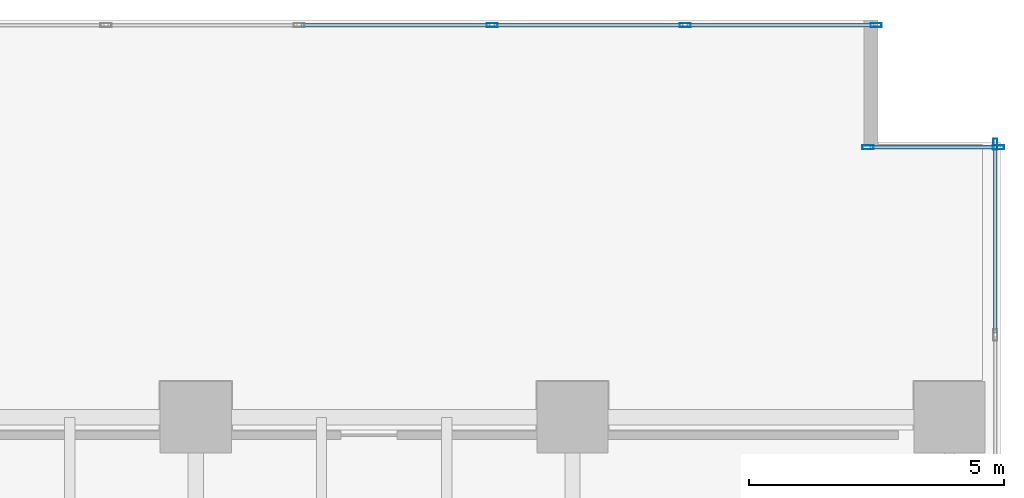
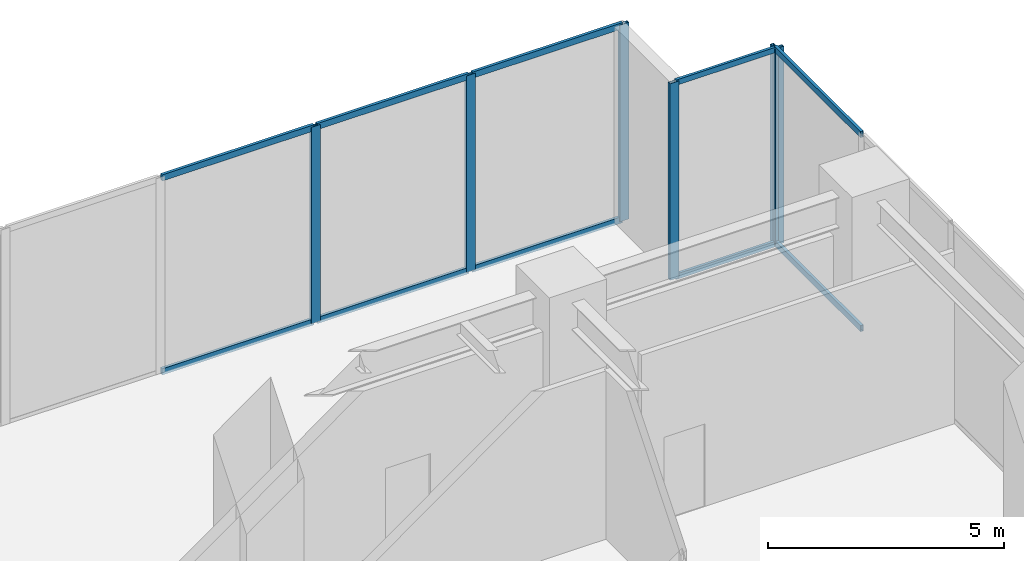
# One storey, part 23 of 35: 16 members, 3 elements without a shape of their own.
"""IFC4 building model written with IfcOpenShell, lengths in metres."""

import ifcopenshell
import ifcopenshell.guid

model = None  # the IFC model being written
_history = None  # IfcOwnerHistory: only IFC2X3 demands one
_inside = {}  # id of a spatial element -> (the spatial element, [elements in it])
_under = {}  # id of a project, library or spatial element -> (it, [spatial elements below it])
_declared = {}  # id of a project -> (the project, [libraries it declares])
_typed = {}  # id of a type object -> (the type object, [elements of that type])
_made_of = {}  # id of a material, layer set ... -> (it, [elements and type objects made of it])


def new_model(schema):
    """Start an empty IFC model of exactly this schema.

    Asked for "IFC4X3", IfcOpenShell would pick the latest addendum, in which some entities
    have other attributes; the version numbers below select the first issue.
    IFC2X3 requires an IfcOwnerHistory on every rooted entity: one is made here for all.
    """
    global model, _history
    if schema == "IFC4X3":
        model = ifcopenshell.file(schema_version=(4, 3, 0, 0))
    else:
        model = ifcopenshell.file(schema=schema)
    _inside.clear()
    _under.clear()
    _declared.clear()
    _typed.clear()
    _made_of.clear()
    _history = None
    if model.schema == "IFC2X3":
        org = make("IfcOrganization", Name="unknown")
        user = make(
            "IfcPersonAndOrganization",
            ThePerson=make("IfcPerson", FamilyName="unknown"),
            TheOrganization=org,
        )
        app = make(
            "IfcApplication",
            ApplicationDeveloper=org,
            Version="unknown",
            ApplicationFullName="unknown",
            ApplicationIdentifier="unknown",
        )
        _history = make(
            "IfcOwnerHistory",
            OwningUser=user,
            OwningApplication=app,
            ChangeAction="ADDED",
            CreationDate=0,
        )
    return model


def make(cls, **values):
    """One entity of the class cls with the attributes given. An attribute that is None is left unset."""
    return model.create_entity(
        cls, **{name: value for name, value in values.items() if value is not None}
    )


def rooted(cls, **values):
    """An entity with a GlobalId (a new one), such as an element, a storey or a relation."""
    return make(cls, GlobalId=ifcopenshell.guid.new(), OwnerHistory=_history, **values)


def si_unit(unit_type, name, prefix=None):
    """IfcSIUnit, for example si_unit("LENGTHUNIT", "METRE", prefix="MILLI")."""
    return make("IfcSIUnit", UnitType=unit_type, Prefix=prefix, Name=name)


def assignment(units):
    """IfcUnitAssignment: the units of a project."""
    return None if units is None else make("IfcUnitAssignment", Units=units)


def point(xyz):
    """IfcCartesianPoint."""
    return None if xyz is None else make("IfcCartesianPoint", Coordinates=xyz)


def direction(xyz):
    """IfcDirection."""
    return None if xyz is None else make("IfcDirection", DirectionRatios=xyz)


def frame(location, z_axis=None, x_axis=None):
    """IfcAxis2Placement3D, a coordinate frame: its origin and axes. An axis left out is left unset."""
    return make(
        "IfcAxis2Placement3D",
        Location=point(location),
        Axis=direction(z_axis),
        RefDirection=direction(x_axis),
    )


def frame_2d(location, x_axis=None):
    """IfcAxis2Placement2D, a coordinate frame in the plane: its origin and x axis."""
    return make(
        "IfcAxis2Placement2D", Location=point(location), RefDirection=direction(x_axis)
    )


def origin():
    """The frame at (0, 0, 0) with its axes left unset."""
    return frame((0.0, 0.0, 0.0))


def origin_2d():
    """The frame at (0, 0) in the plane with its x axis left unset."""
    return frame_2d((0.0, 0.0))


def place(relative_to, where):
    """IfcLocalPlacement: puts the frame where relative to a parent placement (None: the world)."""
    return make(
        "IfcLocalPlacement", PlacementRelTo=relative_to, RelativePlacement=where
    )


def context(
    kind, dimensions, precision=None, world=None, true_north=None, identifier=None
):
    """IfcGeometricRepresentationContext, for example the 3D "Model" context."""
    return make(
        "IfcGeometricRepresentationContext",
        ContextIdentifier=identifier,
        ContextType=kind,
        CoordinateSpaceDimension=dimensions,
        Precision=precision,
        WorldCoordinateSystem=world,
        TrueNorth=true_north,
    )


def subcontext(parent, identifier, kind, view, scale=None):
    """IfcGeometricRepresentationSubContext, for example "Body" below "Model"."""
    return make(
        "IfcGeometricRepresentationSubContext",
        ContextIdentifier=identifier,
        ContextType=kind,
        ParentContext=parent,
        TargetScale=scale,
        TargetView=view,
    )


def project(units=None, contexts=None):
    """IfcProject with its units and contexts."""
    return rooted(
        "IfcProject",
        Name="project",
        RepresentationContexts=contexts,
        UnitsInContext=assignment(units),
    )


def spatial(cls, under=None, at=None, **own):
    """A site, building, storey or space (cls), placed at a placement, below another one or the project."""
    s = rooted(cls, ObjectPlacement=at, **own)
    if under is not None:
        _under.setdefault(under.id(), (under, []))[1].append(s)
    return s


def profile(cls, at=None, kind="AREA", **sizes):
    """A parametric profile (cls). Its sizes go by their IFC names, for example OverallWidth=200.0."""
    return make(cls, ProfileType=kind, Position=at, **sizes)


def hollow_rectangle(**sizes):
    """IfcRectangleHollowProfileDef."""
    return profile("IfcRectangleHollowProfileDef", **sizes)


def extrude(swept, where, along, depth):
    """IfcExtrudedAreaSolid: the profile swept, set in the frame where, extruded along a direction by depth."""
    return make(
        "IfcExtrudedAreaSolid",
        SweptArea=swept,
        Position=where,
        ExtrudedDirection=direction(along),
        Depth=depth,
    )


def shape(context_of_items, identifier, shape_type, items):
    """IfcShapeRepresentation: the items that make up one representation, for example the "Body"."""
    return make(
        "IfcShapeRepresentation",
        ContextOfItems=context_of_items,
        RepresentationIdentifier=identifier,
        RepresentationType=shape_type,
        Items=items,
    )


def source(mapping_origin, context_of_items, identifier, shape_type, items):
    """IfcRepresentationMap: a shape defined once, which mapped items show again and again."""
    return make(
        "IfcRepresentationMap",
        MappingOrigin=mapping_origin,
        MappedRepresentation=shape(context_of_items, identifier, shape_type, items),
    )


def transform(
    local_origin,
    x_axis=None,
    y_axis=None,
    z_axis=None,
    scale=None,
    scale2=None,
    scale3=None,
    uniform=True,
):
    """IfcCartesianTransformationOperator3D, or its non-uniform kind. x_axis, y_axis, z_axis: its Axis1, 2, 3."""
    if uniform:
        return make(
            "IfcCartesianTransformationOperator3D",
            Axis1=direction(x_axis),
            Axis2=direction(y_axis),
            LocalOrigin=point(local_origin),
            Scale=scale,
            Axis3=direction(z_axis),
        )
    return make(
        "IfcCartesianTransformationOperator3DnonUniform",
        Axis1=direction(x_axis),
        Axis2=direction(y_axis),
        LocalOrigin=point(local_origin),
        Scale=scale,
        Axis3=direction(z_axis),
        Scale2=scale2,
        Scale3=scale3,
    )


def mapped(mapping_source, mapping_target):
    """IfcMappedItem: shows the shape of a source again, moved by a transform."""
    return make(
        "IfcMappedItem", MappingSource=mapping_source, MappingTarget=mapping_target
    )


def material(Name=None, Category=None):
    """IfcMaterial."""
    return make("IfcMaterial", Name=Name, Category=Category)


def layer(
    of_material, thickness, ventilated=None, Name=None, Category=None, Priority=None
):
    """IfcMaterialLayer: one layer of a wall or slab, of a material (None: an air gap)."""
    return make(
        "IfcMaterialLayer",
        Material=of_material,
        LayerThickness=thickness,
        IsVentilated=ventilated,
        Name=Name,
        Category=Category,
        Priority=Priority,
    )


def layer_set(layers, Name=None):
    """IfcMaterialLayerSet."""
    return make("IfcMaterialLayerSet", MaterialLayers=layers, LayerSetName=Name)


def material_profile(
    of_material, cross_section, Name=None, Category=None, Priority=None
):
    """IfcMaterialProfile: a cross section and its material."""
    return make(
        "IfcMaterialProfile",
        Name=Name,
        Material=of_material,
        Profile=cross_section,
        Priority=Priority,
        Category=Category,
    )


def profile_set(profiles, Name=None, composite=None):
    """IfcMaterialProfileSet."""
    return make(
        "IfcMaterialProfileSet",
        Name=Name,
        MaterialProfiles=profiles,
        CompositeProfile=composite,
    )


def made_of(thing, what):
    """Note that an element or type object is made of a material, layer set ...; save() writes the relation."""
    if what is not None:
        _made_of.setdefault(what.id(), (what, []))[1].append(thing)
    return thing


def type_object(cls, material=None, **own):
    """A type object (cls), such as IfcWallType, which elements share."""
    return made_of(rooted(cls, **own), material)


def type_shapes(of_type, sources):
    """Give a type object the sources (RepresentationMaps) that its elements show as mapped items."""
    of_type.RepresentationMaps = sources


def element(
    cls,
    number,
    at=None,
    inside=None,
    cuts=None,
    type_object=None,
    material=None,
    context=None,
    identifier="Body",
    shape_type=None,
    held_by="IfcProductDefinitionShape",
    body=None,
    shapes=None,
    **own,
):
    """One element of the class cls, such as IfcWall. Its Tag is "e" and its number.

    at: its placement. inside: the storey or other place that contains it. cuts: it is an
    opening in that element (IfcRelVoidsElement). A single representation is given by context,
    identifier, shape_type and body (its items); several are given by shapes. held_by: the class
    of the entity that holds the representations. save() writes the other relations.
    """
    e = rooted(cls, Tag="e%d" % number, ObjectPlacement=at, **own)
    if body is not None:
        shapes = [shape(context, identifier, shape_type, body)]
    if shapes is not None:
        e.Representation = make(held_by, Representations=shapes)
    if inside is not None:
        _inside.setdefault(inside.id(), (inside, []))[1].append(e)
    if cuts is not None:
        rooted(
            "IfcRelVoidsElement", RelatingBuildingElement=cuts, RelatedOpeningElement=e
        )
    if type_object is not None:
        _typed.setdefault(type_object.id(), (type_object, []))[1].append(e)
    return made_of(e, material)


def aggregate(whole, parts):
    """IfcRelAggregates: a whole, such as a stair, and the parts it consists of."""
    return rooted("IfcRelAggregates", RelatingObject=whole, RelatedObjects=parts)


def save(model, path):
    """Write the relations noted so far, then the file.

    IfcRelAggregates (storeys below a building ...), IfcRelContainedInSpatialStructure (elements
    in a storey), IfcRelDefinesByType, IfcRelAssociatesMaterial and IfcRelDeclares: one each for
    every whole, place, type object, material and project.
    """
    for whole, parts in _under.values():
        aggregate(whole, parts)
    for where, things in _inside.values():
        rooted(
            "IfcRelContainedInSpatialStructure",
            RelatedElements=things,
            RelatingStructure=where,
        )
    for kind, things in _typed.values():
        rooted("IfcRelDefinesByType", RelatedObjects=things, RelatingType=kind)
    for what, things in _made_of.values():
        rooted("IfcRelAssociatesMaterial", RelatedObjects=things, RelatingMaterial=what)
    for by, libraries in _declared.values():
        rooted("IfcRelDeclares", RelatingContext=by, RelatedDefinitions=libraries)
    model.write(path)


model = new_model("IFC4")

# Units and contexts
model_context = context("Model", 3, precision=1e-05, world=origin(), true_north=direction((0.0, 1.0)))
body_context = subcontext(model_context, "Body", "Model", "MODEL_VIEW")
ifc_project = project(units=[si_unit("LENGTHUNIT", "METRE"), si_unit("AREAUNIT", "SQUARE_METRE"), si_unit("VOLUMEUNIT", "CUBIC_METRE"), si_unit("PLANEANGLEUNIT", "RADIAN"), si_unit("MASSUNIT", "GRAM", prefix="KILO")], contexts=[model_context])

# Site, building, storey
site_placement = place(None, origin())
site = spatial("IfcSite", under=ifc_project, at=site_placement, CompositionType="ELEMENT")
building_placement = place(site_placement, origin())
building = spatial("IfcBuilding", under=site, at=building_placement, Name="Haelvirn Gate Laboratories", CompositionType="ELEMENT")
storey_placement = place(building_placement, frame((0.0, 0.0, 19.800048828125)))
storey = spatial("IfcBuildingStorey", under=building, at=storey_placement, Name="L05", CompositionType="ELEMENT", Elevation=19.800048828125)

# Curtain wall, members
ifc_material_1 = material(Name="Anodised bronze unitised aluminium & triple low-E glass", Category="aluminium")
ifc_layer_1 = layer(ifc_material_1, 0.181884765625, Name="CW-SYS-5")
ifc_layer_set_1 = layer_set([ifc_layer_1], Name="Anodised bronze unitised aluminium & triple low-E glass")
curtain_wall_type_1 = type_object("IfcCurtainWallType", Name="CW-SYS-5", PredefinedType="NOTDEFINED", material=ifc_layer_set_1)
curtain_wall_1_placement = place(storey_placement, origin())
curtain_wall_1 = element("IfcCurtainWall", 1, at=curtain_wall_1_placement, inside=storey, type_object=curtain_wall_type_1, Name="L05 Unitised Curtain Wall CW-L05-P0-E04-1", PredefinedType="NOTDEFINED")
ifc_material_2 = material(Name="Extruded aluminium 6063-T6 (anodised bronze)", Category="aluminium")
ifc_material_profile_1 = material_profile(ifc_material_2, hollow_rectangle(XDim=0.06494140625, YDim=0.139892578125, WallThickness=0.00390625, at=origin_2d()), Name="CWT-140x65x4")
ifc_profile_set_1 = profile_set([ifc_material_profile_1], Name="Extruded aluminium 6063-T6 (anodised bronze)")
member_type_1 = type_object("IfcMemberType", Name="CWT-T140", PredefinedType="USERDEFINED", material=ifc_profile_set_1)
shared_shape_1 = source(origin(), body_context, "Body", "SweptSolid", [
    extrude(hollow_rectangle(XDim=0.06494140625, YDim=0.139892578125, WallThickness=0.00390625, at=origin_2d()), origin(), (0.0, 0.0, 1.0), 2.47998046875),
])
type_shapes(member_type_1, [shared_shape_1])
member_1_placement = place(storey_placement, frame((73.239990234375, 46.89990234375, 0.032470703125), z_axis=(1.0, 0.0, 0.0), x_axis=(0.0, 1.0, 0.0)))
member_1 = element("IfcMember", 2, at=member_1_placement, type_object=member_type_1, Name="CW5 transom 1.1", ObjectType="TRANSOM", PredefinedType="USERDEFINED", context=body_context, shape_type="MappedRepresentation", body=[
    mapped(shared_shape_1, transform((0.0, 0.0, 0.0), scale=1.0)),
])
member_2_placement = place(storey_placement, frame((73.239990234375, 46.89990234375, 5.04736328125), z_axis=(1.0, 0.0, 0.0), x_axis=(0.0, 1.0, 0.0)))
member_2 = element("IfcMember", 3, at=member_2_placement, type_object=member_type_1, Name="CW5 transom 1.2", ObjectType="TRANSOM", PredefinedType="USERDEFINED", context=body_context, shape_type="MappedRepresentation", body=[
    mapped(shared_shape_1, transform((0.0, 0.0, 0.0), scale=1.0)),
])

ifc_layer_2 = layer(ifc_material_1, 0.18798828125, Name="CW-SYS-1")
ifc_layer_set_2 = layer_set([ifc_layer_2], Name="Anodised bronze unitised aluminium & triple low-E glass")
curtain_wall_type_2 = type_object("IfcCurtainWallType", Name="CW-SYS-1", PredefinedType="NOTDEFINED", material=ifc_layer_set_2)
curtain_wall_2_placement = place(storey_placement, origin())
curtain_wall_2 = element("IfcCurtainWall", 4, at=curtain_wall_2_placement, inside=storey, type_object=curtain_wall_type_2, Name="L05 Unitised Curtain Wall CW-L05-P0-E03", PredefinedType="NOTDEFINED")
ifc_material_profile_2 = material_profile(ifc_material_2, hollow_rectangle(XDim=0.070068359375, YDim=0.159912109375, WallThickness=0.0048828125, at=origin_2d()), Name="CWT-160x70x5")
ifc_profile_set_2 = profile_set([ifc_material_profile_2], Name="Extruded aluminium 6063-T6 (anodised bronze)")
member_type_2 = type_object("IfcMemberType", Name="CWT-T160", PredefinedType="USERDEFINED", material=ifc_profile_set_2)
shared_shape_2 = source(origin(), body_context, "Body", "SweptSolid", [
    extrude(hollow_rectangle(XDim=0.070068359375, YDim=0.159912109375, WallThickness=0.0048828125, at=origin_2d()), origin(), (0.0, 0.0, 1.0), 3.663330078125),
])
member_3_placement = place(storey_placement, frame((75.699951171875, 43.256591796875, 0.034912109375), z_axis=(0.0, 1.0, 0.0), x_axis=(-1.0, 0.0, 0.0)))
member_3 = element("IfcMember", 5, at=member_3_placement, type_object=member_type_2, Name="CW1 transom 12.1", ObjectType="TRANSOM", PredefinedType="USERDEFINED", context=body_context, shape_type="MappedRepresentation", body=[
    mapped(shared_shape_2, transform((0.0, 0.0, 0.0), scale=1.0)),
])
member_4_placement = place(storey_placement, frame((75.699951171875, 43.256591796875, 5.044921875), z_axis=(0.0, 1.0, 0.0), x_axis=(-1.0, 0.0, 0.0)))
member_4 = element("IfcMember", 6, at=member_4_placement, type_object=member_type_2, Name="CW1 transom 12.2", ObjectType="TRANSOM", PredefinedType="USERDEFINED", context=body_context, shape_type="MappedRepresentation", body=[
    mapped(shared_shape_2, transform((0.0, 0.0, 0.0), scale=1.0)),
])
ifc_material_profile_3 = material_profile(ifc_material_2, hollow_rectangle(XDim=0.080078125, YDim=0.219970703125, WallThickness=0.006103515625, at=origin_2d()), Name="CWM-220x80x6")
ifc_profile_set_3 = profile_set([ifc_material_profile_3], Name="Extruded aluminium 6063-T6 (anodised bronze)")
member_type_3 = type_object("IfcMemberType", Name="CWM-T220", PredefinedType="MULLION", material=ifc_profile_set_3)
shared_shape_3 = source(origin(), body_context, "Body", "SweptSolid", [
    extrude(hollow_rectangle(XDim=0.080078125, YDim=0.219970703125, WallThickness=0.006103515625, at=origin_2d()), origin(), (0.0, 0.0, 1.0), 5.079833984375),
])
type_shapes(member_type_3, [shared_shape_3])
member_5_placement = place(storey_placement, frame((75.699951171875, 46.9599609375, 0.0), z_axis=(0.0, 0.0, 1.0), x_axis=(-1.0, 0.0, 0.0)))
member_5 = element("IfcMember", 7, at=member_5_placement, type_object=member_type_3, Name="CW1 mullion 13", PredefinedType="MULLION", context=body_context, shape_type="MappedRepresentation", body=[
    mapped(shared_shape_3, transform((0.0, 0.0, 0.0), scale=1.0)),
])
aggregate(curtain_wall_2, [member_5, member_3, member_4])

# Member
member_6_placement = place(storey_placement, frame((73.199951171875, 46.89990234375, 0.0), z_axis=(0.0, 0.0, 1.0), x_axis=(0.0, 1.0, 0.0)))
member_6 = element("IfcMember", 8, at=member_6_placement, type_object=member_type_3, Name="CW5 mullion 1", PredefinedType="MULLION", context=body_context, shape_type="MappedRepresentation", body=[
    mapped(shared_shape_3, transform((0.0, 0.0, 0.0), scale=1.0)),
])

member_7_placement = place(storey_placement, frame((75.760009765625, 46.89990234375, 0.0), z_axis=(0.0, 0.0, 1.0), x_axis=(0.0, 1.0, 0.0)))
member_7 = element("IfcMember", 9, at=member_7_placement, type_object=member_type_3, Name="CW5 mullion 2", PredefinedType="MULLION", context=body_context, shape_type="MappedRepresentation", body=[
    mapped(shared_shape_3, transform((0.0, 0.0, 0.0), scale=1.0)),
])

aggregate(curtain_wall_1, [member_6, member_7, member_1, member_2])

# Curtain wall, members
curtain_wall_3_placement = place(storey_placement, origin())
curtain_wall_3 = element("IfcCurtainWall", 10, at=curtain_wall_3_placement, inside=storey, type_object=curtain_wall_type_2, Name="L05 Unitised Curtain Wall CW-L05-P0-E06-1", PredefinedType="NOTDEFINED")
member_8_placement = place(storey_placement, frame((65.821044921875, 49.300048828125, 0.0), z_axis=(0.0, 0.0, 1.0), x_axis=(0.0, 1.0, 0.0)))
member_8 = element("IfcMember", 11, at=member_8_placement, type_object=member_type_3, Name="CW1 mullion 18", PredefinedType="MULLION", context=body_context, shape_type="MappedRepresentation", body=[
    mapped(shared_shape_3, transform((0.0, 0.0, 0.0), scale=1.0)),
])
member_9_placement = place(storey_placement, frame((69.610595703125, 49.300048828125, 0.0), z_axis=(0.0, 0.0, 1.0), x_axis=(0.0, 1.0, 0.0)))
member_9 = element("IfcMember", 12, at=member_9_placement, type_object=member_type_3, Name="CW1 mullion 19", PredefinedType="MULLION", context=body_context, shape_type="MappedRepresentation", body=[
    mapped(shared_shape_3, transform((0.0, 0.0, 0.0), scale=1.0)),
])
member_10_placement = place(storey_placement, frame((73.360107421875, 49.300048828125, 0.0), z_axis=(0.0, 0.0, 1.0), x_axis=(0.0, 1.0, 0.0)))
member_10 = element("IfcMember", 13, at=member_10_placement, type_object=member_type_3, Name="CW1 mullion 20", PredefinedType="MULLION", context=body_context, shape_type="MappedRepresentation", body=[
    mapped(shared_shape_3, transform((0.0, 0.0, 0.0), scale=1.0)),
])
shared_shape_4 = source(origin(), body_context, "Body", "SweptSolid", [
    extrude(hollow_rectangle(XDim=0.070068359375, YDim=0.159912109375, WallThickness=0.0048828125, at=origin_2d()), origin(), (0.0, 0.0, 1.0), 3.66943359375),
])
member_11_placement = place(storey_placement, frame((69.650634765625, 49.300048828125, 0.034912109375), z_axis=(1.0, 0.0, 0.0), x_axis=(0.0, 1.0, 0.0)))
member_11 = element("IfcMember", 14, at=member_11_placement, type_object=member_type_2, Name="CW1 transom 19.1", ObjectType="TRANSOM", PredefinedType="USERDEFINED", context=body_context, shape_type="MappedRepresentation", body=[
    mapped(shared_shape_4, transform((0.0, 0.0, 0.0), scale=1.0)),
])
member_12_placement = place(storey_placement, frame((69.650634765625, 49.300048828125, 5.044921875), z_axis=(1.0, 0.0, 0.0), x_axis=(0.0, 1.0, 0.0)))
member_12 = element("IfcMember", 15, at=member_12_placement, type_object=member_type_2, Name="CW1 transom 19.2", ObjectType="TRANSOM", PredefinedType="USERDEFINED", context=body_context, shape_type="MappedRepresentation", body=[
    mapped(shared_shape_4, transform((0.0, 0.0, 0.0), scale=1.0)),
])
shared_shape_5 = source(origin(), body_context, "Body", "SweptSolid", [
    extrude(hollow_rectangle(XDim=0.070068359375, YDim=0.159912109375, WallThickness=0.0048828125, at=origin_2d()), origin(), (0.0, 0.0, 1.0), 3.70947265625),
])
type_shapes(member_type_2, [shared_shape_2, shared_shape_4, shared_shape_5])
member_13_placement = place(storey_placement, frame((62.071533203125, 49.300048828125, 0.034912109375), z_axis=(1.0, 0.0, 0.0), x_axis=(0.0, 1.0, 0.0)))
member_13 = element("IfcMember", 16, at=member_13_placement, type_object=member_type_2, Name="CW1 transom 17.1", ObjectType="TRANSOM", PredefinedType="USERDEFINED", context=body_context, shape_type="MappedRepresentation", body=[
    mapped(shared_shape_5, transform((0.0, 0.0, 0.0), scale=1.0)),
])
member_14_placement = place(storey_placement, frame((62.071533203125, 49.300048828125, 5.044921875), z_axis=(1.0, 0.0, 0.0), x_axis=(0.0, 1.0, 0.0)))
member_14 = element("IfcMember", 17, at=member_14_placement, type_object=member_type_2, Name="CW1 transom 17.2", ObjectType="TRANSOM", PredefinedType="USERDEFINED", context=body_context, shape_type="MappedRepresentation", body=[
    mapped(shared_shape_5, transform((0.0, 0.0, 0.0), scale=1.0)),
])
member_15_placement = place(storey_placement, frame((65.861083984375, 49.300048828125, 0.034912109375), z_axis=(1.0, 0.0, 0.0), x_axis=(0.0, 1.0, 0.0)))
member_15 = element("IfcMember", 18, at=member_15_placement, type_object=member_type_2, Name="CW1 transom 18.1", ObjectType="TRANSOM", PredefinedType="USERDEFINED", context=body_context, shape_type="MappedRepresentation", body=[
    mapped(shared_shape_5, transform((0.0, 0.0, 0.0), scale=1.0)),
])
member_16_placement = place(storey_placement, frame((65.861083984375, 49.300048828125, 5.044921875), z_axis=(1.0, 0.0, 0.0), x_axis=(0.0, 1.0, 0.0)))
member_16 = element("IfcMember", 19, at=member_16_placement, type_object=member_type_2, Name="CW1 transom 18.2", ObjectType="TRANSOM", PredefinedType="USERDEFINED", context=body_context, shape_type="MappedRepresentation", body=[
    mapped(shared_shape_5, transform((0.0, 0.0, 0.0), scale=1.0)),
])
aggregate(curtain_wall_3, [member_8, member_9, member_10, member_13, member_14, member_15, member_16, member_11, member_12])

save(model, "model.ifc")
